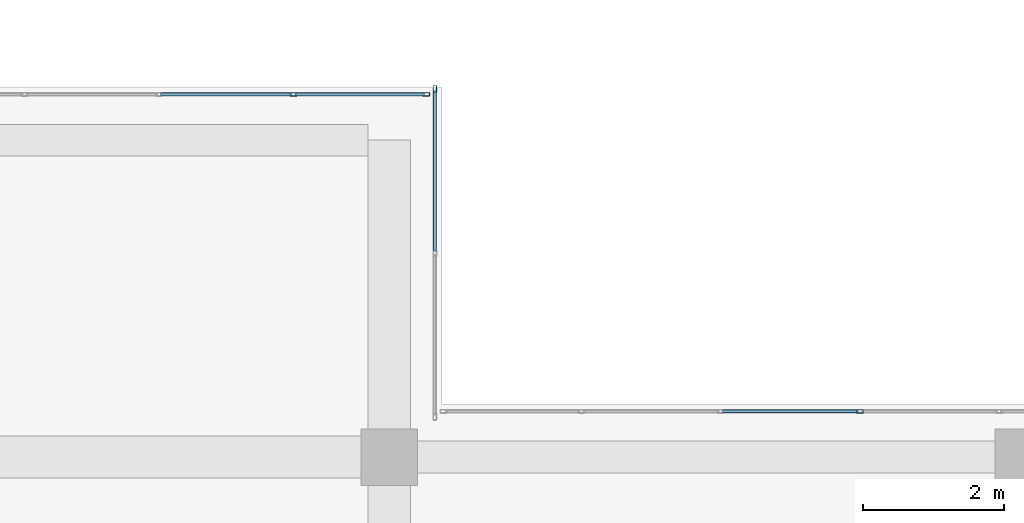
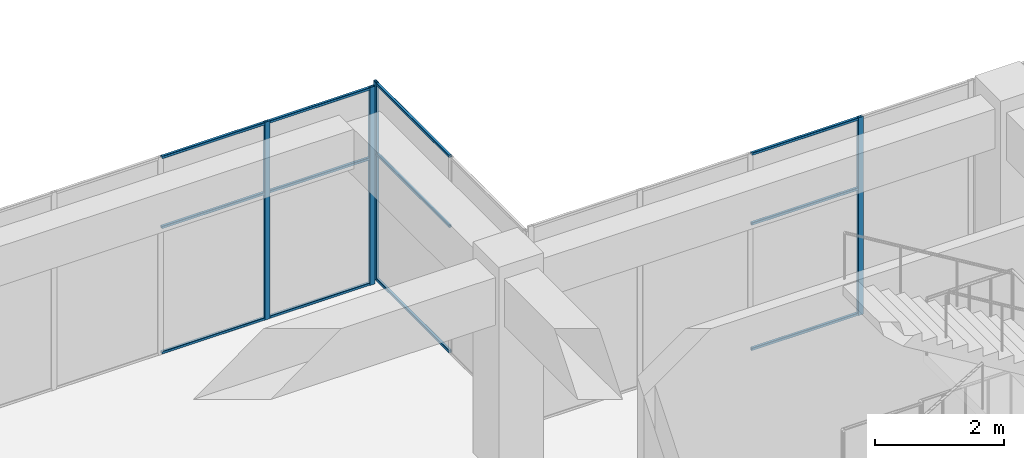
# One storey, part 36 of 65: 16 members, 3 elements without a shape of their own.
"""IFC4 building model written with IfcOpenShell, lengths in metres."""

from ifc_helpers import new_model, si_unit, direction, frame, origin, origin_2d, place, context, subcontext, project, spatial, hollow_rectangle, extrude, material, layer, layer_set, material_profile, profile_set, type_object, element, aggregate, save


model = new_model("IFC4")

# Units and contexts
model_context = context("Model", 3, precision=1e-05, world=origin(), true_north=direction((0.0, 1.0)))
body_context = subcontext(model_context, "Body", "Model", "MODEL_VIEW")
ifc_project = project(units=[si_unit("LENGTHUNIT", "METRE"), si_unit("AREAUNIT", "SQUARE_METRE"), si_unit("VOLUMEUNIT", "CUBIC_METRE"), si_unit("PLANEANGLEUNIT", "RADIAN"), si_unit("MASSUNIT", "GRAM", prefix="KILO")], contexts=[model_context])

# Site, building, storey
site_placement = place(None, origin())
site = spatial("IfcSite", under=ifc_project, at=site_placement, CompositionType="ELEMENT")
building_placement = place(site_placement, origin())
building = spatial("IfcBuilding", under=site, at=building_placement, Name="Tuart Plaza Theatre", CompositionType="ELEMENT")
storey_placement = place(building_placement, frame((0.0, 0.0, 9.5)))
storey = spatial("IfcBuildingStorey", under=building, at=storey_placement, Name="L02", CompositionType="ELEMENT", Elevation=9.5)

# Curtain wall, member
ifc_material_1 = material(Name="Aluminium and glass", Category="aluminium")
ifc_layer = layer(ifc_material_1, 0.10009765625)
ifc_layer_set = layer_set([ifc_layer], Name="CURTAIN WALL 2000 module")
curtain_wall_type = type_object("IfcCurtainWallType", Name="CURTAIN WALL 2000 module", PredefinedType="NOTDEFINED", material=ifc_layer_set)
curtain_wall_1_placement = place(storey_placement, origin())
curtain_wall_1 = element("IfcCurtainWall", 1, at=curtain_wall_1_placement, inside=storey, type_object=curtain_wall_type, Name="CW70", PredefinedType="NOTDEFINED")
ifc_material_2 = material(Name="Aluminium 6063-T5", Category="aluminium")
ifc_material_profile_1 = material_profile(ifc_material_2, hollow_rectangle(XDim=0.050048828125, YDim=0.10009765625, WallThickness=0.00390625, InnerFilletRadius=0.00390625, OuterFilletRadius=0.008056640625, at=origin_2d()), Name="RHS 100x50x4")
ifc_profile_set_1 = profile_set([ifc_material_profile_1], Name="Aluminium 6063-T5")
member_type_1 = type_object("IfcMemberType", Name="MULLION RHS 100x50x4", PredefinedType="MULLION", material=ifc_profile_set_1)
member_1_placement = place(storey_placement, frame((138.683349609375, 92.64990234375, 0.0), z_axis=(0.0, 0.0, 1.0), x_axis=(0.0, -1.0, 0.0)))
member_1 = element("IfcMember", 2, at=member_1_placement, type_object=member_type_1, Name="CW70 mullion 7", PredefinedType="MULLION", context=body_context, shape_type="SweptSolid", body=[
    extrude(hollow_rectangle(XDim=0.050048828125, YDim=0.10009765625, WallThickness=0.00390625, InnerFilletRadius=0.00390625, OuterFilletRadius=0.008056640625, at=origin_2d()), origin(), (0.0, 0.0, 1.0), 3.75),
])

curtain_wall_2_placement = place(storey_placement, origin())
curtain_wall_2 = element("IfcCurtainWall", 3, at=curtain_wall_2_placement, inside=storey, type_object=curtain_wall_type, Name="CW71", PredefinedType="NOTDEFINED")
member_2_placement = place(storey_placement, frame((132.64990234375, 97.22509765625, 0.0), z_axis=(0.0, 0.0, 1.0), x_axis=(-1.0, 0.0, 0.0)))
member_2 = element("IfcMember", 4, at=member_2_placement, type_object=member_type_1, Name="CW71 mullion 3", PredefinedType="MULLION", context=body_context, shape_type="SweptSolid", body=[
    extrude(hollow_rectangle(XDim=0.050048828125, YDim=0.10009765625, WallThickness=0.00390625, InnerFilletRadius=0.00390625, OuterFilletRadius=0.008056640625, at=origin_2d()), origin(), (0.0, 0.0, 1.0), 3.75),
])

# Curtain wall, members
curtain_wall_3_placement = place(storey_placement, origin())
curtain_wall_3 = element("IfcCurtainWall", 5, at=curtain_wall_3_placement, inside=storey, type_object=curtain_wall_type, Name="CW72", PredefinedType="NOTDEFINED")
member_3_placement = place(storey_placement, frame((132.52490234375, 97.14990234375, 0.0), z_axis=(0.0, 0.0, 1.0), x_axis=(0.0, -1.0, 0.0)))
member_3 = element("IfcMember", 6, at=member_3_placement, type_object=member_type_1, Name="CW72 mullion 1", PredefinedType="MULLION", context=body_context, shape_type="SweptSolid", body=[
    extrude(hollow_rectangle(XDim=0.050048828125, YDim=0.10009765625, WallThickness=0.00390625, InnerFilletRadius=0.00390625, OuterFilletRadius=0.008056640625, at=origin_2d()), origin(), (0.0, 0.0, 1.0), 3.75),
])
member_4_placement = place(storey_placement, frame((130.639892578125, 97.14990234375, 0.0), z_axis=(0.0, 0.0, 1.0), x_axis=(0.0, -1.0, 0.0)))
member_4 = element("IfcMember", 7, at=member_4_placement, type_object=member_type_1, Name="CW72 mullion 2", PredefinedType="MULLION", context=body_context, shape_type="SweptSolid", body=[
    extrude(hollow_rectangle(XDim=0.050048828125, YDim=0.10009765625, WallThickness=0.00390625, InnerFilletRadius=0.00390625, OuterFilletRadius=0.008056640625, at=origin_2d()), origin(), (0.0, 0.0, 1.0), 3.75),
])

# Member
ifc_material_3 = material(Name="Aluminium 6063-T5", Category="aluminium")
ifc_material_profile_2 = material_profile(ifc_material_3, hollow_rectangle(XDim=0.050048828125, YDim=0.050048828125, WallThickness=0.00390625, InnerFilletRadius=0.00390625, OuterFilletRadius=0.008056640625, at=origin_2d()), Name="RHS 50x50x4")
ifc_profile_set_2 = profile_set([ifc_material_profile_2], Name="Aluminium 6063-T5")
member_type_2 = type_object("IfcMemberType", Name="TRANSOM RHS 50x50x4", PredefinedType="USERDEFINED", material=ifc_profile_set_2)
member_5_placement = place(storey_placement, frame((138.658447265625, 92.64990234375, 0.02490234375), z_axis=(-1.0, 0.0, 0.0), x_axis=(0.0, -1.0, 0.0)))
member_5 = element("IfcMember", 8, at=member_5_placement, type_object=member_type_2, Name="CW70 transom 7.1", ObjectType="TRANSOM", PredefinedType="USERDEFINED", context=body_context, shape_type="SweptSolid", body=[
    extrude(hollow_rectangle(XDim=0.050048828125, YDim=0.050048828125, WallThickness=0.00390625, InnerFilletRadius=0.00390625, OuterFilletRadius=0.008056640625, at=origin_2d()), origin(), (0.0, 0.0, 1.0), 1.927978515625),
])

member_6_placement = place(storey_placement, frame((138.658447265625, 92.64990234375, 2.39990234375), z_axis=(-1.0, 0.0, 0.0), x_axis=(0.0, -1.0, 0.0)))
member_6 = element("IfcMember", 9, at=member_6_placement, type_object=member_type_2, Name="CW70 transom 7.2", ObjectType="TRANSOM", PredefinedType="USERDEFINED", context=body_context, shape_type="SweptSolid", body=[
    extrude(hollow_rectangle(XDim=0.050048828125, YDim=0.050048828125, WallThickness=0.00390625, InnerFilletRadius=0.00390625, OuterFilletRadius=0.008056640625, at=origin_2d()), origin(), (0.0, 0.0, 1.0), 1.927978515625),
])

member_7_placement = place(storey_placement, frame((138.658447265625, 92.64990234375, 3.72509765625), z_axis=(-1.0, 0.0, 0.0), x_axis=(0.0, -1.0, 0.0)))
member_7 = element("IfcMember", 10, at=member_7_placement, type_object=member_type_2, Name="CW70 transom 7.3", ObjectType="TRANSOM", PredefinedType="USERDEFINED", context=body_context, shape_type="SweptSolid", body=[
    extrude(hollow_rectangle(XDim=0.050048828125, YDim=0.050048828125, WallThickness=0.00390625, InnerFilletRadius=0.00390625, OuterFilletRadius=0.008056640625, at=origin_2d()), origin(), (0.0, 0.0, 1.0), 1.927978515625),
])

aggregate(curtain_wall_1, [member_1, member_5, member_6, member_7])

member_8_placement = place(storey_placement, frame((132.64990234375, 94.925048828125, 0.02490234375), z_axis=(0.0, 1.0, 0.0), x_axis=(-1.0, 0.0, 0.0)))
member_8 = element("IfcMember", 11, at=member_8_placement, type_object=member_type_2, Name="CW71 transom 2.1", ObjectType="TRANSOM", PredefinedType="USERDEFINED", context=body_context, shape_type="SweptSolid", body=[
    extrude(hollow_rectangle(XDim=0.050048828125, YDim=0.050048828125, WallThickness=0.00390625, InnerFilletRadius=0.00390625, OuterFilletRadius=0.008056640625, at=origin_2d()), origin(), (0.0, 0.0, 1.0), 2.27490234375),
])

member_9_placement = place(storey_placement, frame((132.64990234375, 94.925048828125, 2.39990234375), z_axis=(0.0, 1.0, 0.0), x_axis=(-1.0, 0.0, 0.0)))
member_9 = element("IfcMember", 12, at=member_9_placement, type_object=member_type_2, Name="CW71 transom 2.2", ObjectType="TRANSOM", PredefinedType="USERDEFINED", context=body_context, shape_type="SweptSolid", body=[
    extrude(hollow_rectangle(XDim=0.050048828125, YDim=0.050048828125, WallThickness=0.00390625, InnerFilletRadius=0.00390625, OuterFilletRadius=0.008056640625, at=origin_2d()), origin(), (0.0, 0.0, 1.0), 2.27490234375),
])

member_10_placement = place(storey_placement, frame((132.64990234375, 94.925048828125, 3.72509765625), z_axis=(0.0, 1.0, 0.0), x_axis=(-1.0, 0.0, 0.0)))
member_10 = element("IfcMember", 13, at=member_10_placement, type_object=member_type_2, Name="CW71 transom 2.3", ObjectType="TRANSOM", PredefinedType="USERDEFINED", context=body_context, shape_type="SweptSolid", body=[
    extrude(hollow_rectangle(XDim=0.050048828125, YDim=0.050048828125, WallThickness=0.00390625, InnerFilletRadius=0.00390625, OuterFilletRadius=0.008056640625, at=origin_2d()), origin(), (0.0, 0.0, 1.0), 2.27490234375),
])

aggregate(curtain_wall_2, [member_2, member_8, member_9, member_10])

member_11_placement = place(storey_placement, frame((132.5, 97.14990234375, 0.02490234375), z_axis=(-1.0, 0.0, 0.0), x_axis=(0.0, -1.0, 0.0)))
member_11 = element("IfcMember", 14, at=member_11_placement, type_object=member_type_2, Name="CW72 transom 1.1", ObjectType="TRANSOM", PredefinedType="USERDEFINED", context=body_context, shape_type="SweptSolid", body=[
    extrude(hollow_rectangle(XDim=0.050048828125, YDim=0.050048828125, WallThickness=0.00390625, InnerFilletRadius=0.00390625, OuterFilletRadius=0.008056640625, at=origin_2d()), origin(), (0.0, 0.0, 1.0), 1.8349609375),
])

member_12_placement = place(storey_placement, frame((132.5, 97.14990234375, 2.39990234375), z_axis=(-1.0, 0.0, 0.0), x_axis=(0.0, -1.0, 0.0)))
member_12 = element("IfcMember", 15, at=member_12_placement, type_object=member_type_2, Name="CW72 transom 1.2", ObjectType="TRANSOM", PredefinedType="USERDEFINED", context=body_context, shape_type="SweptSolid", body=[
    extrude(hollow_rectangle(XDim=0.050048828125, YDim=0.050048828125, WallThickness=0.00390625, InnerFilletRadius=0.00390625, OuterFilletRadius=0.008056640625, at=origin_2d()), origin(), (0.0, 0.0, 1.0), 1.8349609375),
])

member_13_placement = place(storey_placement, frame((132.5, 97.14990234375, 3.72509765625), z_axis=(-1.0, 0.0, 0.0), x_axis=(0.0, -1.0, 0.0)))
member_13 = element("IfcMember", 16, at=member_13_placement, type_object=member_type_2, Name="CW72 transom 1.3", ObjectType="TRANSOM", PredefinedType="USERDEFINED", context=body_context, shape_type="SweptSolid", body=[
    extrude(hollow_rectangle(XDim=0.050048828125, YDim=0.050048828125, WallThickness=0.00390625, InnerFilletRadius=0.00390625, OuterFilletRadius=0.008056640625, at=origin_2d()), origin(), (0.0, 0.0, 1.0), 1.8349609375),
])

member_14_placement = place(storey_placement, frame((130.614990234375, 97.14990234375, 0.02490234375), z_axis=(-1.0, 0.0, 0.0), x_axis=(0.0, -1.0, 0.0)))
member_14 = element("IfcMember", 17, at=member_14_placement, type_object=member_type_2, Name="CW72 transom 2.1", ObjectType="TRANSOM", PredefinedType="USERDEFINED", context=body_context, shape_type="SweptSolid", body=[
    extrude(hollow_rectangle(XDim=0.050048828125, YDim=0.050048828125, WallThickness=0.00390625, InnerFilletRadius=0.00390625, OuterFilletRadius=0.008056640625, at=origin_2d()), origin(), (0.0, 0.0, 1.0), 1.860107421875),
])

member_15_placement = place(storey_placement, frame((130.614990234375, 97.14990234375, 2.39990234375), z_axis=(-1.0, 0.0, 0.0), x_axis=(0.0, -1.0, 0.0)))
member_15 = element("IfcMember", 18, at=member_15_placement, type_object=member_type_2, Name="CW72 transom 2.2", ObjectType="TRANSOM", PredefinedType="USERDEFINED", context=body_context, shape_type="SweptSolid", body=[
    extrude(hollow_rectangle(XDim=0.050048828125, YDim=0.050048828125, WallThickness=0.00390625, InnerFilletRadius=0.00390625, OuterFilletRadius=0.008056640625, at=origin_2d()), origin(), (0.0, 0.0, 1.0), 1.860107421875),
])

member_16_placement = place(storey_placement, frame((130.614990234375, 97.14990234375, 3.72509765625), z_axis=(-1.0, 0.0, 0.0), x_axis=(0.0, -1.0, 0.0)))
member_16 = element("IfcMember", 19, at=member_16_placement, type_object=member_type_2, Name="CW72 transom 2.3", ObjectType="TRANSOM", PredefinedType="USERDEFINED", context=body_context, shape_type="SweptSolid", body=[
    extrude(hollow_rectangle(XDim=0.050048828125, YDim=0.050048828125, WallThickness=0.00390625, InnerFilletRadius=0.00390625, OuterFilletRadius=0.008056640625, at=origin_2d()), origin(), (0.0, 0.0, 1.0), 1.860107421875),
])

aggregate(curtain_wall_3, [member_3, member_4, member_11, member_12, member_13, member_14, member_15, member_16])

save(model, "model.ifc")
